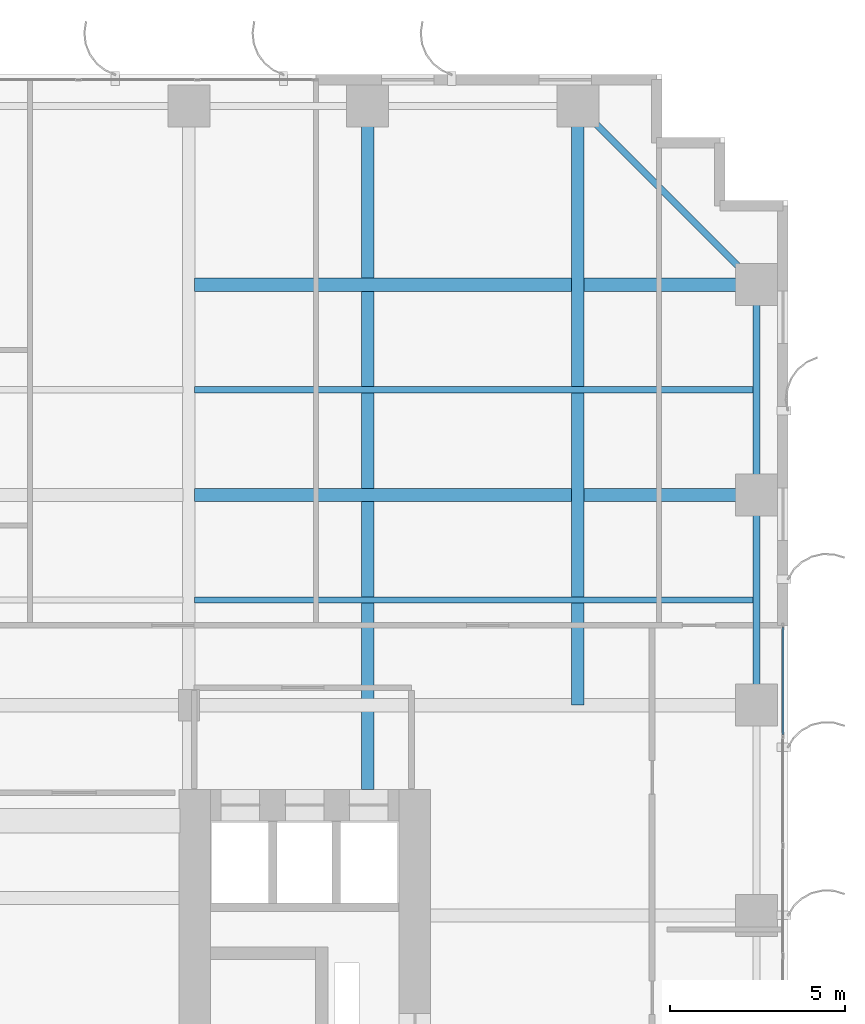
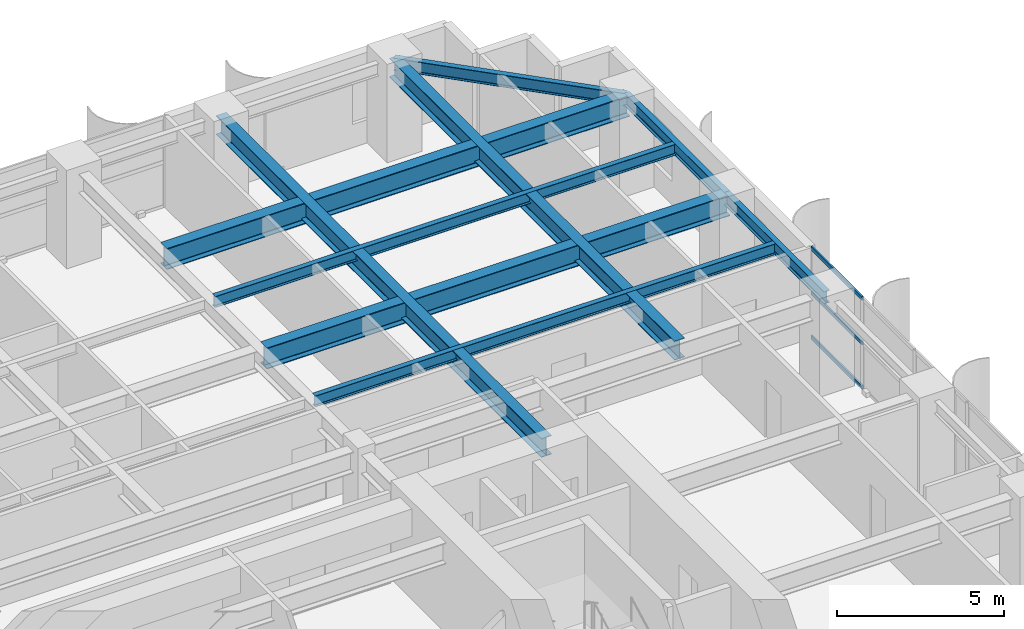
# One storey, part 11 of 22: 9 beams, 3 members, 1 element without a shape of its own.
"""IFC4 building model written with IfcOpenShell, lengths in metres."""

from ifc_helpers import new_model, si_unit, direction, frame, origin, origin_2d, place, context, subcontext, project, spatial, hollow_rectangle, i_section, extrude, source, transform, mapped, material, layer, layer_set, material_profile, profile_set, type_object, element, aggregate, save


model = new_model("IFC4")

# Units and contexts
model_context = context("Model", 3, precision=1e-05, world=origin(), true_north=direction((0.0, 1.0)))
body_context = subcontext(model_context, "Body", "Model", "MODEL_VIEW")
ifc_project = project(units=[si_unit("LENGTHUNIT", "METRE"), si_unit("AREAUNIT", "SQUARE_METRE"), si_unit("VOLUMEUNIT", "CUBIC_METRE"), si_unit("PLANEANGLEUNIT", "RADIAN"), si_unit("MASSUNIT", "GRAM", prefix="KILO")], contexts=[model_context])

# Site, building, storey
site_placement = place(None, origin())
site = spatial("IfcSite", under=ifc_project, at=site_placement, CompositionType="ELEMENT")
building_placement = place(site_placement, origin())
building = spatial("IfcBuilding", under=site, at=building_placement, Name="Khoralis Quay Care Tower", CompositionType="ELEMENT")
storey_placement = place(building_placement, frame((0.0, 0.0, 44.10009765625)))
storey = spatial("IfcBuildingStorey", under=building, at=storey_placement, Name="L11", CompositionType="ELEMENT", Elevation=44.10009765625)

# Beams
ifc_material_1 = material(Name="Steel S355", Category="steel")
ifc_material_profile_1 = material_profile(ifc_material_1, i_section(OverallWidth=0.18994140625, OverallDepth=0.449951171875, WebThickness=0.009521484375, FlangeThickness=0.0146484375, FilletRadius=0.02099609375, at=origin_2d()), Name="Steel S355")
ifc_profile_set_1 = profile_set([ifc_material_profile_1], Name="Steel S355")
beam_type_1 = type_object("IfcBeamType", Name="BM-IPE450", PredefinedType="SPANDREL", material=ifc_profile_set_1)
shared_shape_1 = source(origin(), body_context, "Body", "SweptSolid", [
    extrude(i_section(OverallWidth=0.18994140625, OverallDepth=0.449951171875, WebThickness=0.009521484375, FlangeThickness=0.0146484375, FilletRadius=0.02099609375, at=origin_2d()), origin(), (0.0, 0.0, 1.0), 6.0),
])
for number, where, z_axis, x_axis, name in (
    (1, (47.10009765625, 30.0, 3.094970703125), (0.0, 1.0, 0.0), (-1.0, 0.0, 0.0), "BM-TSP-L11-23"),
    (2, (47.10009765625, 36.0, 3.094970703125), (0.0, 1.0, 0.0), (-1.0, 0.0, 0.0), "BM-TSP-L11-24"),
):
    element("IfcBeam", number, at=place(storey_placement, frame(where, z_axis=z_axis, x_axis=x_axis)), inside=storey, type_object=beam_type_1, Name=name, PredefinedType="SPANDREL", context=body_context, shape_type="MappedRepresentation", body=[
        mapped(shared_shape_1, transform((0.0, 0.0, 0.0), scale=1.0)),
    ])
shared_shape_2 = source(origin(), body_context, "Body", "SweptSolid", [
    extrude(i_section(OverallWidth=0.18994140625, OverallDepth=0.449951171875, WebThickness=0.009521484375, FlangeThickness=0.0146484375, FilletRadius=0.02099609375, at=origin_2d()), origin(), (0.0, 0.0, 1.0), 7.212646484375),
])
beam_1_placement = place(storey_placement, frame((42.0, 47.10009765625, 3.094970703125), z_axis=(0.707106781187, -0.707106781187, 0.0), x_axis=(0.707106781187, 0.707106781187, 0.0)))
element("IfcBeam", 3, at=beam_1_placement, inside=storey, type_object=beam_type_1, Name="BM-TCR-L11-28", PredefinedType="SPANDREL", context=body_context, shape_type="MappedRepresentation", body=[
    mapped(shared_shape_2, transform((0.0, 0.0, 0.0), scale=1.0)),
])
ifc_material_profile_2 = material_profile(ifc_material_1, i_section(OverallWidth=0.381103515625, OverallDepth=0.77294921875, WebThickness=0.0166015625, FlangeThickness=0.027587890625, FilletRadius=0.02197265625, at=origin_2d()), Name="Steel S355")
ifc_profile_set_2 = profile_set([ifc_material_profile_2], Name="Steel S355")
beam_type_2 = type_object("IfcBeamType", Name="BM-W760X257", PredefinedType="BEAM", material=ifc_profile_set_2)
shared_shape_3 = source(origin(), body_context, "Body", "SweptSolid", [
    extrude(i_section(OverallWidth=0.381103515625, OverallDepth=0.77294921875, WebThickness=0.0166015625, FlangeThickness=0.027587890625, FilletRadius=0.02197265625, at=origin_2d()), origin(), (0.0, 0.0, 1.0), 16.03466796875),
])
for number, where, z_axis, x_axis, name in (
    (4, (31.0654296875, 36.0, 2.933349609375), (1.0, 0.0, 0.0), (0.0, 1.0, 0.0), "BM-TGXE-L11-360"),
    (5, (31.0654296875, 42.0, 2.933349609375), (1.0, 0.0, 0.0), (0.0, 1.0, 0.0), "BM-TGXE-L11-420"),
):
    element("IfcBeam", number, at=place(storey_placement, frame(where, z_axis=z_axis, x_axis=x_axis)), inside=storey, type_object=beam_type_2, Name=name, PredefinedType="BEAM", context=body_context, shape_type="MappedRepresentation", body=[
        mapped(shared_shape_3, transform((0.0, 0.0, 0.0), scale=1.0)),
    ])
ifc_material_profile_3 = material_profile(ifc_material_1, i_section(OverallWidth=0.35498046875, OverallDepth=0.695068359375, WebThickness=0.015380859375, FlangeThickness=0.02490234375, FilletRadius=0.02001953125, at=origin_2d()), Name="Steel S355")
ifc_profile_set_3 = profile_set([ifc_material_profile_3], Name="Steel S355")
beam_type_3 = type_object("IfcBeamType", Name="BM-W690X217", PredefinedType="BEAM", material=ifc_profile_set_3)
shared_shape_4 = source(origin(), body_context, "Body", "SweptSolid", [
    extrude(i_section(OverallWidth=0.35498046875, OverallDepth=0.695068359375, WebThickness=0.015380859375, FlangeThickness=0.02490234375, FilletRadius=0.02001953125, at=origin_2d()), origin(), (0.0, 0.0, 1.0), 17.10009765625),
])
beam_2_placement = place(storey_placement, frame((42.0, 30.0, 2.972412109375), z_axis=(0.0, 1.0, 0.0), x_axis=(-1.0, 0.0, 0.0)))
element("IfcBeam", 6, at=beam_2_placement, inside=storey, type_object=beam_type_3, Name="BM-TGYN-L11-420", PredefinedType="BEAM", context=body_context, shape_type="MappedRepresentation", body=[
    mapped(shared_shape_4, transform((0.0, 0.0, 0.0), scale=1.0)),
])
shared_shape_5 = source(origin(), body_context, "Body", "SweptSolid", [
    extrude(i_section(OverallWidth=0.35498046875, OverallDepth=0.695068359375, WebThickness=0.015380859375, FlangeThickness=0.02490234375, FilletRadius=0.02001953125, at=origin_2d()), origin(), (0.0, 0.0, 1.0), 19.502197265625),
])
beam_3_placement = place(storey_placement, frame((36.0, 27.597900390625, 2.972412109375), z_axis=(0.0, 1.0, 0.0), x_axis=(-1.0, 0.0, 0.0)))
element("IfcBeam", 7, at=beam_3_placement, inside=storey, type_object=beam_type_3, Name="BM-TGYN-L11-360", PredefinedType="BEAM", context=body_context, shape_type="MappedRepresentation", body=[
    mapped(shared_shape_5, transform((0.0, 0.0, 0.0), scale=1.0)),
])
ifc_material_profile_4 = material_profile(ifc_material_1, i_section(OverallWidth=0.177978515625, OverallDepth=0.406982421875, WebThickness=0.0078125, FlangeThickness=0.0126953125, FilletRadius=0.012939453125, at=origin_2d()), Name="Steel S355")
ifc_profile_set_4 = profile_set([ifc_material_profile_4], Name="Steel S355")
beam_type_4 = type_object("IfcBeamType", Name="BM-W410X60", PredefinedType="JOIST", material=ifc_profile_set_4)
shared_shape_6 = source(origin(), body_context, "Body", "SweptSolid", [
    extrude(i_section(OverallWidth=0.177978515625, OverallDepth=0.406982421875, WebThickness=0.0078125, FlangeThickness=0.0126953125, FilletRadius=0.012939453125, at=origin_2d()), origin(), (0.0, 0.0, 1.0), 15.95361328125),
])
for number, where, z_axis, x_axis, name in (
    (8, (31.0654296875, 33.0, 3.116455078125), (1.0, 0.0, 0.0), (0.0, 1.0, 0.0), "BM-TJS-L11-33"),
    (9, (31.0654296875, 39.0, 3.116455078125), (1.0, 0.0, 0.0), (0.0, 1.0, 0.0), "BM-TJS-L11-36"),
):
    element("IfcBeam", number, at=place(storey_placement, frame(where, z_axis=z_axis, x_axis=x_axis)), inside=storey, type_object=beam_type_4, Name=name, PredefinedType="JOIST", context=body_context, shape_type="MappedRepresentation", body=[
        mapped(shared_shape_6, transform((0.0, 0.0, 0.0), scale=1.0)),
    ])

# Curtain wall, members
ifc_material_2 = material(Name="Pale anodised aluminium", Category="aluminium")
ifc_layer = layer(ifc_material_2, 0.179931640625)
ifc_layer_set = layer_set([ifc_layer], Name="Pale anodised aluminium")
curtain_wall_type = type_object("IfcCurtainWallType", Name="CW-SYS-Z1", PredefinedType="NOTDEFINED", material=ifc_layer_set)
curtain_wall_placement = place(storey_placement, origin())
curtain_wall = element("IfcCurtainWall", 10, at=curtain_wall_placement, inside=storey, type_object=curtain_wall_type, Name="L11 Unitised Curtain Wall CW-L11-P1-E5", PredefinedType="NOTDEFINED")
ifc_material_profile_5 = material_profile(ifc_material_2, hollow_rectangle(XDim=0.06005859375, YDim=0.139892578125, WallThickness=0.00390625, at=origin_2d()), Name="Pale anodised aluminium")
ifc_profile_set_5 = profile_set([ifc_material_profile_5], Name="Pale anodised aluminium")
member_type = type_object("IfcMemberType", Name="CW-TRN-140", PredefinedType="USERDEFINED", material=ifc_profile_set_5)
shared_shape_7 = source(origin(), body_context, "Body", "SweptSolid", [
    extrude(hollow_rectangle(XDim=0.06005859375, YDim=0.139892578125, WallThickness=0.00390625, at=origin_2d()), origin(), (0.0, 0.0, 1.0), 3.054931640625),
])
member_1_placement = place(storey_placement, frame((47.85009765625, 29.1650390625, 0.02978515625), z_axis=(0.0, 1.0, 0.0), x_axis=(-1.0, 0.0, 0.0)))
member_1 = element("IfcMember", 11, at=member_1_placement, type_object=member_type, Name="CW1 transom 4.1", ObjectType="TRANSOM", PredefinedType="USERDEFINED", context=body_context, shape_type="MappedRepresentation", body=[
    mapped(shared_shape_7, transform((0.0, 0.0, 0.0), scale=1.0)),
])
member_2_placement = place(storey_placement, frame((47.85009765625, 29.1650390625, 1.659912109375), z_axis=(0.0, 1.0, 0.0), x_axis=(-1.0, 0.0, 0.0)))
member_2 = element("IfcMember", 12, at=member_2_placement, type_object=member_type, Name="CW1 transom 4.2", ObjectType="TRANSOM", PredefinedType="USERDEFINED", context=body_context, shape_type="MappedRepresentation", body=[
    mapped(shared_shape_7, transform((0.0, 0.0, 0.0), scale=1.0)),
])
member_3_placement = place(storey_placement, frame((47.85009765625, 29.1650390625, 3.289794921875), z_axis=(0.0, 1.0, 0.0), x_axis=(-1.0, 0.0, 0.0)))
member_3 = element("IfcMember", 13, at=member_3_placement, type_object=member_type, Name="CW1 transom 4.3", ObjectType="TRANSOM", PredefinedType="USERDEFINED", context=body_context, shape_type="MappedRepresentation", body=[
    mapped(shared_shape_7, transform((0.0, 0.0, 0.0), scale=1.0)),
])
aggregate(curtain_wall, [member_1, member_2, member_3])

save(model, "model.ifc")
